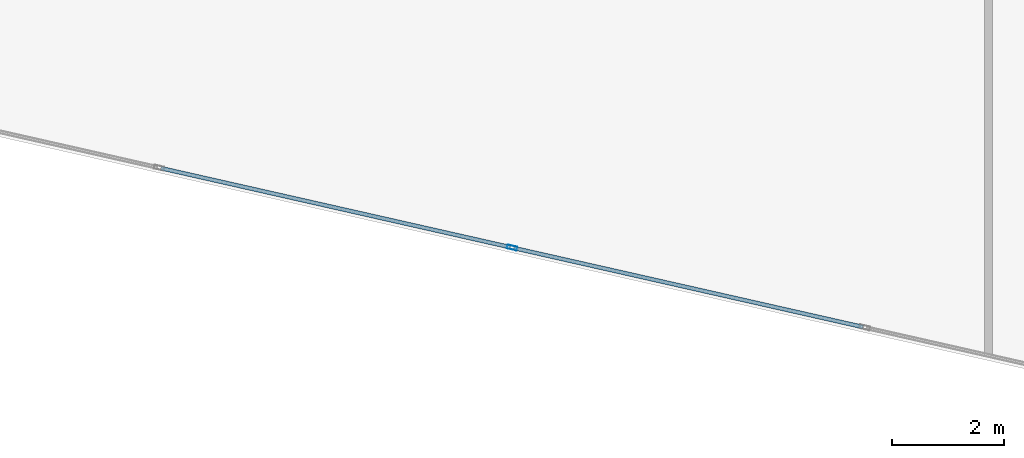
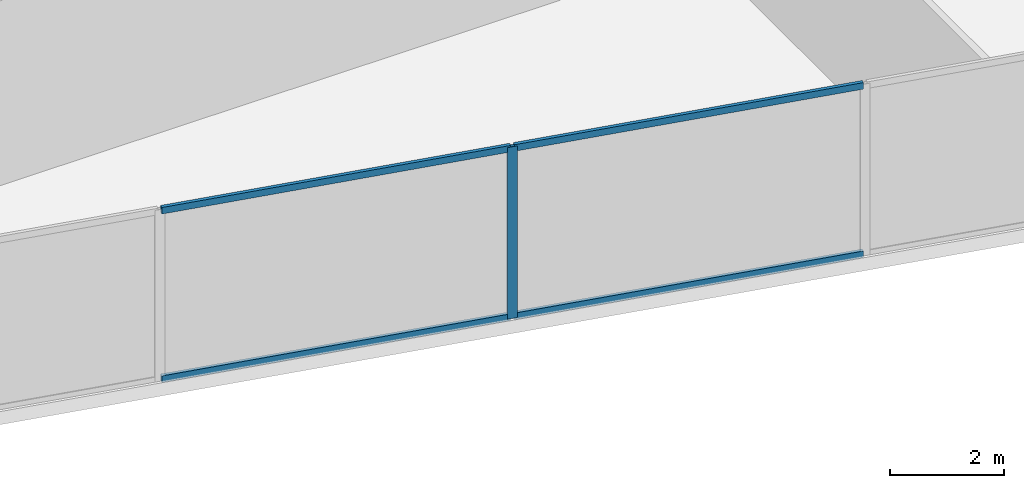
# One storey, part 5 of 26: 5 members, 1 element without a shape of its own.
"""IFC4 building model written with IfcOpenShell, lengths in metres."""

from ifc_helpers import new_model, si_unit, direction, frame, origin, origin_2d, place, context, subcontext, project, spatial, hollow_rectangle, extrude, source, transform, mapped, material, material_profile, profile_set, type_object, type_shapes, element, aggregate, save


model = new_model("IFC4")

# Units and contexts
model_context = context("Model", 3, precision=1e-05, world=origin(), true_north=direction((0.0, 1.0)))
body_context = subcontext(model_context, "Body", "Model", "MODEL_VIEW")
ifc_project = project(units=[si_unit("LENGTHUNIT", "METRE"), si_unit("AREAUNIT", "SQUARE_METRE"), si_unit("VOLUMEUNIT", "CUBIC_METRE"), si_unit("PLANEANGLEUNIT", "RADIAN"), si_unit("MASSUNIT", "GRAM", prefix="KILO")], contexts=[model_context])

# Site, building, storey
site_placement = place(None, origin())
site = spatial("IfcSite", under=ifc_project, at=site_placement, CompositionType="ELEMENT")
building_placement = place(site_placement, origin())
building = spatial("IfcBuilding", under=site, at=building_placement, Name="Krantzveldt Concourse Tower", CompositionType="ELEMENT")
storey_placement = place(building_placement, frame((0.0, 0.0, 94.0)))
storey = spatial("IfcBuildingStorey", under=building, at=storey_placement, Name="L22", CompositionType="ELEMENT", Elevation=94.0)

# Curtain wall, members
ifc_material = material(Name="Anodised aluminium 6063-T6", Category="aluminium")
curtain_wall_type = type_object("IfcCurtainWallType", Name="CW2", PredefinedType="USERDEFINED", material=ifc_material)
curtain_wall_placement = place(storey_placement, origin())
curtain_wall = element("IfcCurtainWall", 1, at=curtain_wall_placement, inside=storey, type_object=curtain_wall_type, Name="CW-L22-F04", ObjectType="UNITISED CURTAIN WALL", PredefinedType="USERDEFINED")
ifc_material_profile_1 = material_profile(ifc_material, hollow_rectangle(XDim=0.070068359375, YDim=0.179931640625, WallThickness=0.0048828125, at=origin_2d()), Name="Anodised aluminium 6063-T6", Category="aluminium")
ifc_profile_set_1 = profile_set([ifc_material_profile_1], Name="Anodised aluminium 6063-T6 - ALU-MULL 180x70x5")
member_type_1 = type_object("IfcMemberType", Name="CW-MUL-180", PredefinedType="MULLION", material=ifc_profile_set_1)
shared_shape_1 = source(origin(), body_context, "Body", "SweptSolid", [
    extrude(hollow_rectangle(XDim=0.070068359375, YDim=0.179931640625, WallThickness=0.0048828125, at=origin_2d()), origin(), (0.0, 0.0, 1.0), 3.669921875),
])
type_shapes(member_type_1, [shared_shape_1])
member_1_placement = place(storey_placement, frame((37.162841796875, 2.53759765625, 0.0), z_axis=(0.0, 0.0, 1.0), x_axis=(0.220697434579, 0.975342320609, 0.0)))
member_1 = element("IfcMember", 2, at=member_1_placement, type_object=member_type_1, Name="CW-Z12 mullion 5", PredefinedType="MULLION", context=body_context, shape_type="MappedRepresentation", body=[
    mapped(shared_shape_1, transform((0.0, 0.0, 0.0), x_axis=(1.0, 0.0, 0.0), y_axis=(0.0, 1.0, 0.0), z_axis=(0.0, 0.0, 1.0), scale=1.0)),
])
ifc_material_profile_2 = material_profile(ifc_material, hollow_rectangle(XDim=0.070068359375, YDim=0.139892578125, WallThickness=0.0048828125, at=origin_2d()), Name="Anodised aluminium 6063-T6", Category="aluminium")
ifc_profile_set_2 = profile_set([ifc_material_profile_2], Name="Anodised aluminium 6063-T6 - ALU-TRAN 140x70x5")
member_type_2 = type_object("IfcMemberType", Name="CW-TRN-150", PredefinedType="USERDEFINED", material=ifc_profile_set_2)
shared_shape_2 = source(origin(), body_context, "Body", "SweptSolid", [
    extrude(hollow_rectangle(XDim=0.070068359375, YDim=0.139892578125, WallThickness=0.0048828125, at=origin_2d()), origin(), (0.0, 0.0, 1.0), 6.396728515625),
])
type_shapes(member_type_2, [shared_shape_2])
member_2_placement = place(storey_placement, frame((30.8896484375, 3.95703125, 0.034912109375), z_axis=(0.975346478519, -0.220679058454, 0.0), x_axis=(0.220679058454, 0.975346478519, 0.0)))
member_2 = element("IfcMember", 3, at=member_2_placement, type_object=member_type_2, Name="CW-Z12 transom 4.1", ObjectType="TRANSOM", PredefinedType="USERDEFINED", context=body_context, shape_type="MappedRepresentation", body=[
    mapped(shared_shape_2, transform((0.0, 0.0, 0.0), x_axis=(1.0, 0.0, 0.0), y_axis=(0.0, 1.0, 0.0), z_axis=(0.0, 0.0, 1.0), scale=1.0)),
])
member_3_placement = place(storey_placement, frame((30.8896484375, 3.95703125, 3.635009765625), z_axis=(0.975346478519, -0.220679058454, 0.0), x_axis=(0.220679058454, 0.975346478519, 0.0)))
member_3 = element("IfcMember", 4, at=member_3_placement, type_object=member_type_2, Name="CW-Z12 transom 4.2", ObjectType="TRANSOM", PredefinedType="USERDEFINED", context=body_context, shape_type="MappedRepresentation", body=[
    mapped(shared_shape_2, transform((0.0, 0.0, 0.0), x_axis=(1.0, 0.0, 0.0), y_axis=(0.0, 1.0, 0.0), z_axis=(0.0, 0.0, 1.0), scale=1.0)),
])
member_4_placement = place(storey_placement, frame((37.19677734375, 2.52978515625, 0.034912109375), z_axis=(0.975346478519, -0.220679058454, 0.0), x_axis=(0.220679058454, 0.975346478519, 0.0)))
member_4 = element("IfcMember", 5, at=member_4_placement, type_object=member_type_2, Name="CW-Z12 transom 5.1", ObjectType="TRANSOM", PredefinedType="USERDEFINED", context=body_context, shape_type="MappedRepresentation", body=[
    mapped(shared_shape_2, transform((0.0, 0.0, 0.0), x_axis=(1.0, 0.0, 0.0), y_axis=(0.0, 1.0, 0.0), z_axis=(0.0, 0.0, 1.0), scale=1.0)),
])
member_5_placement = place(storey_placement, frame((37.19677734375, 2.52978515625, 3.635009765625), z_axis=(0.975346478519, -0.220679058454, 0.0), x_axis=(0.220679058454, 0.975346478519, 0.0)))
member_5 = element("IfcMember", 6, at=member_5_placement, type_object=member_type_2, Name="CW-Z12 transom 5.2", ObjectType="TRANSOM", PredefinedType="USERDEFINED", context=body_context, shape_type="MappedRepresentation", body=[
    mapped(shared_shape_2, transform((0.0, 0.0, 0.0), x_axis=(1.0, 0.0, 0.0), y_axis=(0.0, 1.0, 0.0), z_axis=(0.0, 0.0, 1.0), scale=1.0)),
])
aggregate(curtain_wall, [member_1, member_2, member_3, member_4, member_5])

save(model, "model.ifc")
